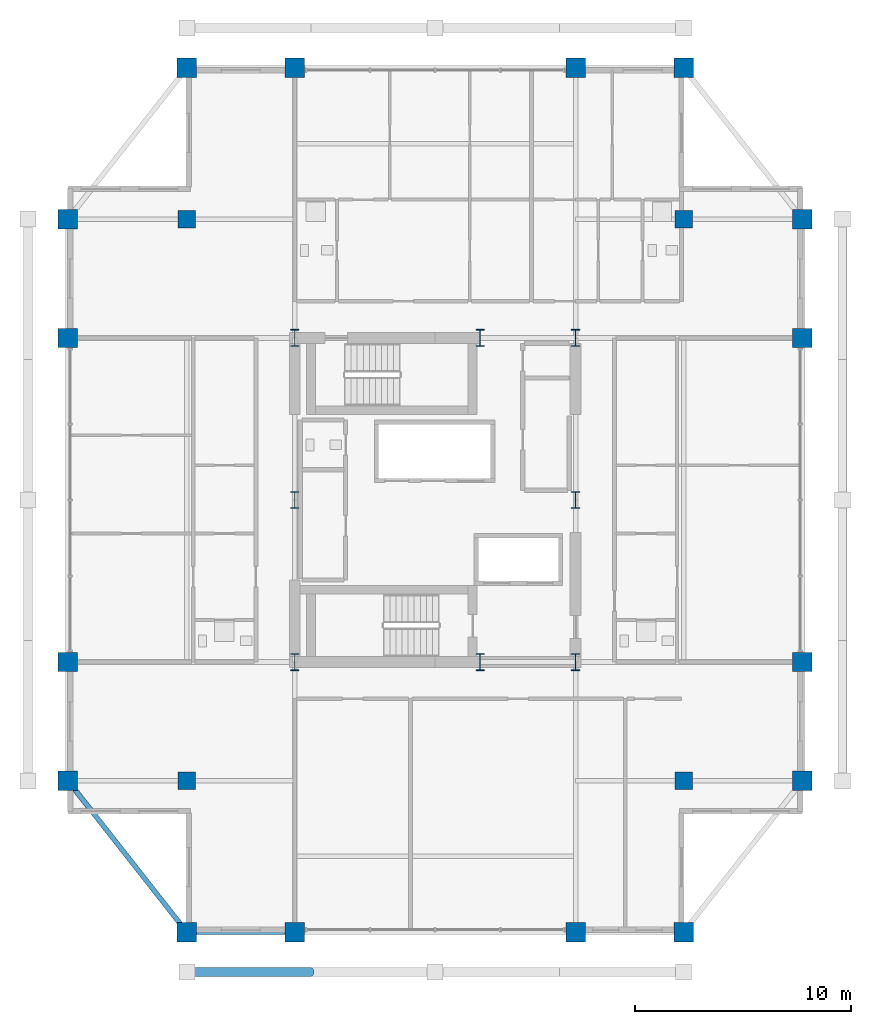
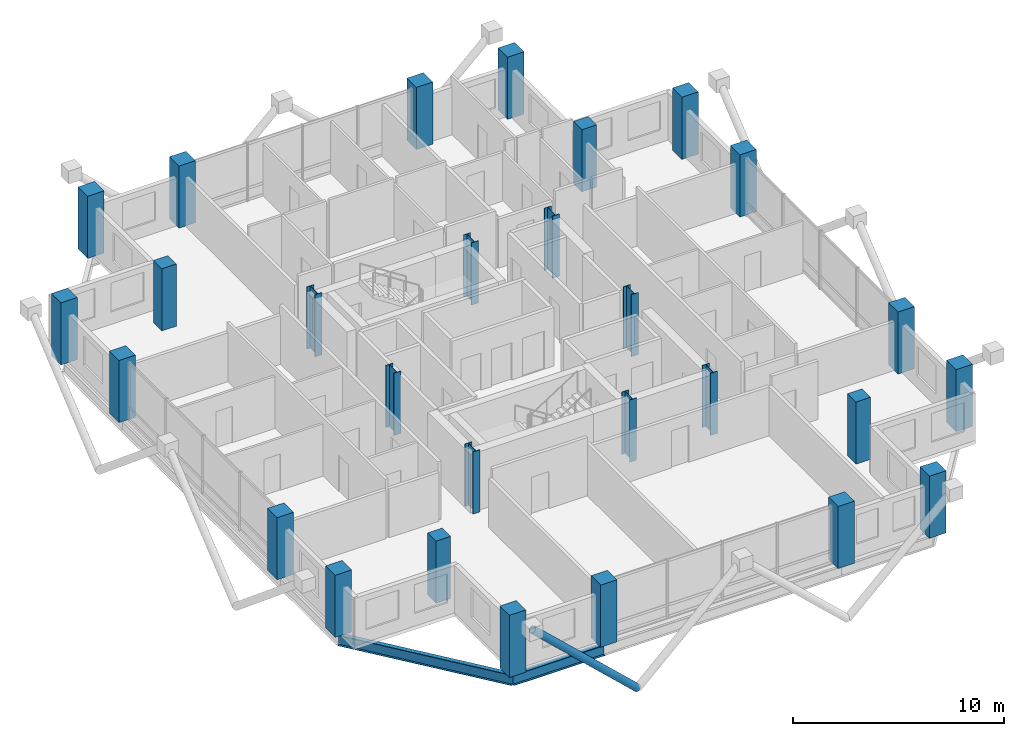
# One storey, part 1 of 23: 28 columns, 2 beams, 1 member.
"""IFC4 building model written with IfcOpenShell, lengths in metres."""

from ifc_helpers import new_model, si_unit, direction, frame, origin, origin_2d, place, context, subcontext, project, spatial, rectangle, hollow_circle, i_section, extrude, material, material_profile, profile_set, type_object, element, save


model = new_model("IFC4")

# Units and contexts
model_context = context("Model", 3, precision=1e-05, world=origin(), true_north=direction((0.0, 1.0)))
body_context = subcontext(model_context, "Body", "Model", "MODEL_VIEW")
ifc_project = project(units=[si_unit("LENGTHUNIT", "METRE"), si_unit("AREAUNIT", "SQUARE_METRE"), si_unit("VOLUMEUNIT", "CUBIC_METRE"), si_unit("PLANEANGLEUNIT", "RADIAN"), si_unit("MASSUNIT", "GRAM", prefix="KILO")], contexts=[model_context])

# Site, building, storey
site_placement = place(None, origin())
site = spatial("IfcSite", under=ifc_project, at=site_placement, CompositionType="ELEMENT")
building_placement = place(site_placement, origin())
building = spatial("IfcBuilding", under=site, at=building_placement, Name="Barlavira Tower and Art Museum", CompositionType="ELEMENT")
storey_placement = place(building_placement, frame((0.0, 0.0, 247.5)))
storey = spatial("IfcBuildingStorey", under=building, at=storey_placement, Name="L64", CompositionType="ELEMENT", Elevation=247.5)

# Columns
ifc_material_1 = material(Name="Steel S355", Category="steel")
ifc_material_profile_1 = material_profile(ifc_material_1, i_section(OverallWidth=0.382080078125, OverallDepth=0.785888671875, WebThickness=0.02001953125, FlangeThickness=0.032958984375, at=origin_2d()), Name="W760x314.0")
ifc_profile_set_1 = profile_set([ifc_material_profile_1], Name="Steel S355")
column_type_1 = type_object("IfcColumnType", Name="Core Composite Column W760x314 Steel S355", PredefinedType="COLUMN", material=ifc_profile_set_1)
for number, where, z_axis, x_axis, name in (
    (1, (-6.5, -7.5, 0.0), (0.0, 0.0, 1.0), (1.0, 0.0, 0.0), "L64 Column CC-L64-C1"),
    (2, (2.080078125, -7.5, 0.0), (0.0, 0.0, 1.0), (1.0, 0.0, 0.0), "L64 Column CC-L64-C2"),
    (3, (6.5, -7.5, 0.0), (0.0, 0.0, 1.0), (1.0, 0.0, 0.0), "L64 Column CC-L64-C3"),
    (4, (-6.5, 0.0, 0.0), (0.0, 0.0, 1.0), (1.0, 0.0, 0.0), "L64 Column CC-L64-C4"),
    (5, (6.5, 0.0, 0.0), (0.0, 0.0, 1.0), (1.0, 0.0, 0.0), "L64 Column CC-L64-C5"),
    (6, (-6.5, 7.5, 0.0), (0.0, 0.0, 1.0), (1.0, 0.0, 0.0), "L64 Column CC-L64-C6"),
    (7, (2.080078125, 7.5, 0.0), (0.0, 0.0, 1.0), (1.0, 0.0, 0.0), "L64 Column CC-L64-C7"),
    (8, (6.5, 7.5, 0.0), (0.0, 0.0, 1.0), (1.0, 0.0, 0.0), "L64 Column CC-L64-C8"),
):
    element("IfcColumn", number, at=place(storey_placement, frame(where, z_axis=z_axis, x_axis=x_axis)), inside=storey, type_object=column_type_1, Name=name, PredefinedType="COLUMN", context=body_context, shape_type="SweptSolid", body=[
        extrude(i_section(OverallWidth=0.382080078125, OverallDepth=0.785888671875, WebThickness=0.02001953125, FlangeThickness=0.032958984375, at=origin_2d()), origin(), (0.0, 0.0, 1.0), 3.60009765625),
    ])
ifc_material_2 = material(Name="Concrete C50", Category="concrete")
ifc_material_profile_2 = material_profile(ifc_material_2, rectangle(XDim=0.89990234375, YDim=0.89990234375, at=origin_2d()), Name="RC-COL 900x900")
ifc_profile_set_2 = profile_set([ifc_material_profile_2], Name="Concrete C50")
column_type_2 = type_object("IfcColumnType", Name="Perimeter Mega Column 900x900 Concrete C50", PredefinedType="USERDEFINED", material=ifc_profile_set_2)
for number, where, z_axis, x_axis, name in (
    (9, (-11.5, -20.0, 0.0), (0.0, 0.0, 1.0), (1.0, 0.0, 0.0), "L64 Column MC-L64-M01"),
    (10, (-6.5, -20.0, 0.0), (0.0, 0.0, 1.0), (1.0, 0.0, 0.0), "L64 Column MC-L64-M02"),
    (11, (6.5, -20.0, 0.0), (0.0, 0.0, 1.0), (1.0, 0.0, 0.0), "L64 Column MC-L64-M03"),
    (12, (11.5, -20.0, 0.0), (0.0, 0.0, 1.0), (1.0, 0.0, 0.0), "L64 Column MC-L64-M04"),
    (13, (17.0, -13.0, 0.0), (0.0, 0.0, 1.0), (1.0, 0.0, 0.0), "L64 Column MC-L64-M05"),
    (14, (17.0, -7.5, 0.0), (0.0, 0.0, 1.0), (1.0, 0.0, 0.0), "L64 Column MC-L64-M06"),
    (15, (17.0, 7.5, 0.0), (0.0, 0.0, 1.0), (1.0, 0.0, 0.0), "L64 Column MC-L64-M07"),
    (16, (17.0, 13.0, 0.0), (0.0, 0.0, 1.0), (1.0, 0.0, 0.0), "L64 Column MC-L64-M08"),
    (17, (11.5, 20.0, 0.0), (0.0, 0.0, 1.0), (1.0, 0.0, 0.0), "L64 Column MC-L64-M09"),
    (18, (6.5, 20.0, 0.0), (0.0, 0.0, 1.0), (1.0, 0.0, 0.0), "L64 Column MC-L64-M10"),
    (19, (-6.5, 20.0, 0.0), (0.0, 0.0, 1.0), (1.0, 0.0, 0.0), "L64 Column MC-L64-M11"),
    (20, (-11.5, 20.0, 0.0), (0.0, 0.0, 1.0), (1.0, 0.0, 0.0), "L64 Column MC-L64-M12"),
    (21, (-17.0, 13.0, 0.0), (0.0, 0.0, 1.0), (1.0, 0.0, 0.0), "L64 Column MC-L64-M13"),
    (22, (-17.0, 7.5, 0.0), (0.0, 0.0, 1.0), (1.0, 0.0, 0.0), "L64 Column MC-L64-M14"),
    (23, (-17.0, -7.5, 0.0), (0.0, 0.0, 1.0), (1.0, 0.0, 0.0), "L64 Column MC-L64-M15"),
    (24, (-17.0, -13.0, 0.0), (0.0, 0.0, 1.0), (1.0, 0.0, 0.0), "L64 Column MC-L64-M16"),
):
    element("IfcColumn", number, at=place(storey_placement, frame(where, z_axis=z_axis, x_axis=x_axis)), inside=storey, type_object=column_type_2, Name=name, ObjectType="MEGA COLUMN", PredefinedType="USERDEFINED", context=body_context, shape_type="SweptSolid", body=[
        extrude(rectangle(XDim=0.89990234375, YDim=0.89990234375, at=origin_2d()), origin(), (0.0, 0.0, 1.0), 3.60009765625),
    ])
ifc_material_profile_3 = material_profile(ifc_material_2, rectangle(XDim=0.800048828125, YDim=0.800048828125, at=origin_2d()), Name="RC-COL 800x800")
ifc_profile_set_3 = profile_set([ifc_material_profile_3], Name="Concrete C50")
column_type_3 = type_object("IfcColumnType", Name="Podium Frame Column 800x800 Concrete C50", PredefinedType="COLUMN", material=ifc_profile_set_3)
for number, where, z_axis, x_axis, name in (
    (25, (-11.5, -13.0, 0.0), (0.0, 0.0, 1.0), (1.0, 0.0, 0.0), "L64 Column CI-L64-I1"),
    (26, (11.5, -13.0, 0.0), (0.0, 0.0, 1.0), (1.0, 0.0, 0.0), "L64 Column CI-L64-I2"),
    (27, (-11.5, 13.0, 0.0), (0.0, 0.0, 1.0), (1.0, 0.0, 0.0), "L64 Column CI-L64-I3"),
    (28, (11.5, 13.0, 0.0), (0.0, 0.0, 1.0), (1.0, 0.0, 0.0), "L64 Column CI-L64-I4"),
):
    element("IfcColumn", number, at=place(storey_placement, frame(where, z_axis=z_axis, x_axis=x_axis)), inside=storey, type_object=column_type_3, Name=name, PredefinedType="COLUMN", context=body_context, shape_type="SweptSolid", body=[
        extrude(rectangle(XDim=0.800048828125, YDim=0.800048828125, at=origin_2d()), origin(), (0.0, 0.0, 1.0), 3.60009765625),
    ])

# Member
ifc_material_profile_4 = material_profile(ifc_material_1, hollow_circle(Radius=0.203125, WallThickness=0.01611328125, at=origin_2d()), Name="CHS 406.4x16.0")
ifc_profile_set_4 = profile_set([ifc_material_profile_4], Name="Steel S355")
member_type = type_object("IfcMemberType", Name="Pale-Metal Exoskeleton Diagrid Tube CHS 406x16 Steel S355", PredefinedType="BRACE", material=ifc_profile_set_4)
member_placement = place(storey_placement, frame((-5.75, -21.85009765625, -1.919921875), z_axis=(-0.728950095515, 0.0, 0.684566839869), x_axis=(0.0, -1.0, 0.0)))
element("IfcMember", 29, at=member_placement, inside=storey, type_object=member_type, Name="L64 Exoskeleton Diagrid Tube S", PredefinedType="BRACE", context=body_context, shape_type="SweptSolid", body=[
    extrude(hollow_circle(Radius=0.203125, WallThickness=0.01611328125, at=origin_2d()), origin(), (0.0, 0.0, 1.0), 7.887939453125),
])

# Beams
ifc_material_profile_5 = material_profile(ifc_material_1, i_section(OverallWidth=0.22998046875, OverallDepth=0.616943359375, WebThickness=0.01318359375, FlangeThickness=0.022216796875, at=origin_2d()), Name="W610x140.0")
ifc_profile_set_5 = profile_set([ifc_material_profile_5], Name="Steel S355")
beam_type = type_object("IfcBeamType", Name="Upper Shaft Spandrel Edge Beam W610x140 Steel S355", PredefinedType="SPANDREL", material=ifc_profile_set_5)
beam_1_placement = place(storey_placement, frame((-11.5, -20.0, -0.528564453125), z_axis=(1.0, 0.0, 0.0), x_axis=(0.0, 1.0, 0.0)))
element("IfcBeam", 30, at=beam_1_placement, inside=storey, type_object=beam_type, Name="L64 Spandrel 1", PredefinedType="SPANDREL", context=body_context, shape_type="SweptSolid", body=[
    extrude(i_section(OverallWidth=0.22998046875, OverallDepth=0.616943359375, WebThickness=0.01318359375, FlangeThickness=0.022216796875, at=origin_2d()), origin(), (0.0, 0.0, 1.0), 5.0),
])
beam_2_placement = place(storey_placement, frame((-17.0, -13.0, -0.528564453125), z_axis=(0.617821551932, -0.786318338822, 0.0), x_axis=(0.786318338822, 0.617821551932, 0.0)))
element("IfcBeam", 31, at=beam_2_placement, inside=storey, type_object=beam_type, Name="L64 Spandrel 16", PredefinedType="SPANDREL", context=body_context, shape_type="SweptSolid", body=[
    extrude(i_section(OverallWidth=0.22998046875, OverallDepth=0.616943359375, WebThickness=0.01318359375, FlangeThickness=0.022216796875, at=origin_2d()), origin(), (0.0, 0.0, 1.0), 8.90234375),
])

save(model, "model.ifc")
